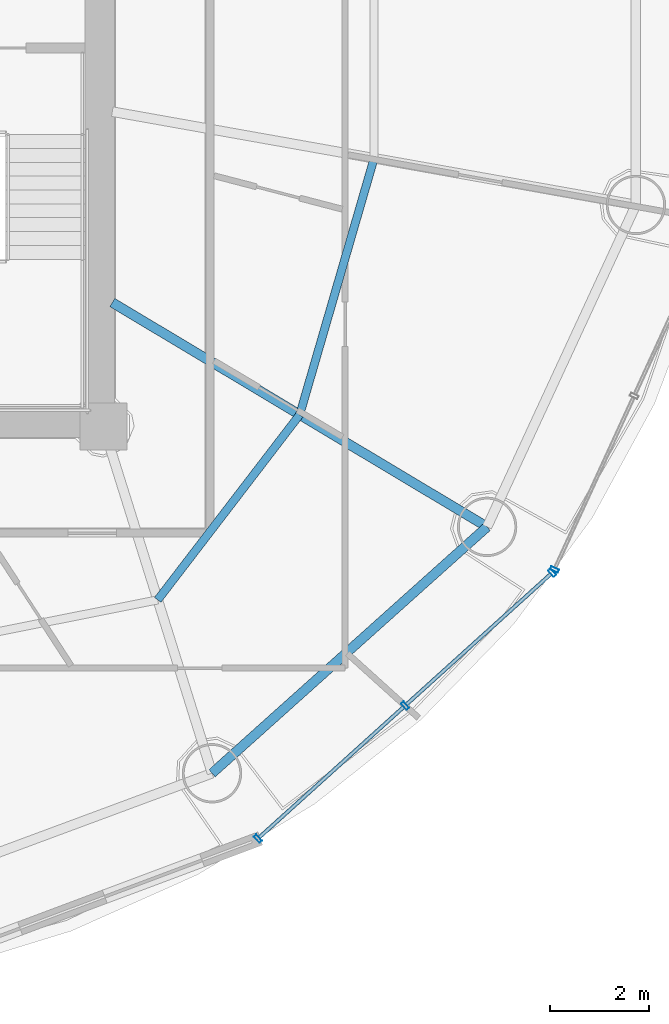
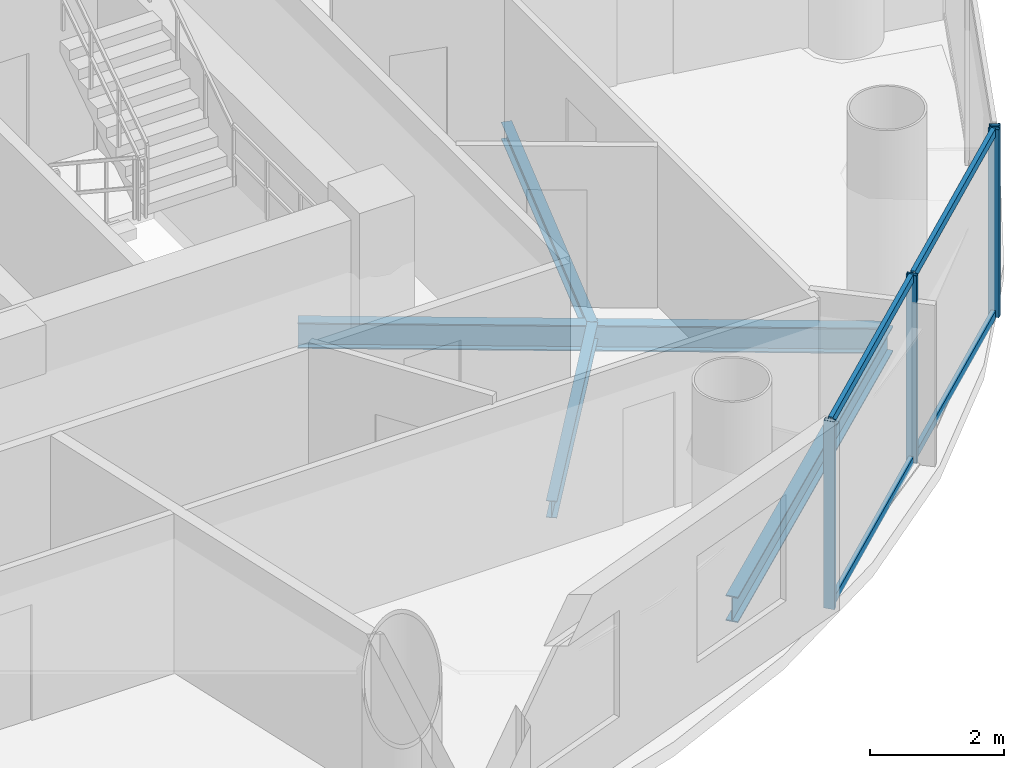
# One storey, part 10 of 27: 8 members, 4 beams, 2 elements without a shape of their own.
"""IFC4 building model written with IfcOpenShell, lengths in metres."""

import ifcopenshell
import ifcopenshell.guid

model = None  # the IFC model being written
_history = None  # IfcOwnerHistory: only IFC2X3 demands one
_inside = {}  # id of a spatial element -> (the spatial element, [elements in it])
_under = {}  # id of a project, library or spatial element -> (it, [spatial elements below it])
_declared = {}  # id of a project -> (the project, [libraries it declares])
_typed = {}  # id of a type object -> (the type object, [elements of that type])
_made_of = {}  # id of a material, layer set ... -> (it, [elements and type objects made of it])


def new_model(schema):
    """Start an empty IFC model of exactly this schema.

    Asked for "IFC4X3", IfcOpenShell would pick the latest addendum, in which some entities
    have other attributes; the version numbers below select the first issue.
    IFC2X3 requires an IfcOwnerHistory on every rooted entity: one is made here for all.
    """
    global model, _history
    if schema == "IFC4X3":
        model = ifcopenshell.file(schema_version=(4, 3, 0, 0))
    else:
        model = ifcopenshell.file(schema=schema)
    _inside.clear()
    _under.clear()
    _declared.clear()
    _typed.clear()
    _made_of.clear()
    _history = None
    if model.schema == "IFC2X3":
        org = make("IfcOrganization", Name="unknown")
        user = make(
            "IfcPersonAndOrganization",
            ThePerson=make("IfcPerson", FamilyName="unknown"),
            TheOrganization=org,
        )
        app = make(
            "IfcApplication",
            ApplicationDeveloper=org,
            Version="unknown",
            ApplicationFullName="unknown",
            ApplicationIdentifier="unknown",
        )
        _history = make(
            "IfcOwnerHistory",
            OwningUser=user,
            OwningApplication=app,
            ChangeAction="ADDED",
            CreationDate=0,
        )
    return model


def make(cls, **values):
    """One entity of the class cls with the attributes given. An attribute that is None is left unset."""
    return model.create_entity(
        cls, **{name: value for name, value in values.items() if value is not None}
    )


def rooted(cls, **values):
    """An entity with a GlobalId (a new one), such as an element, a storey or a relation."""
    return make(cls, GlobalId=ifcopenshell.guid.new(), OwnerHistory=_history, **values)


def si_unit(unit_type, name, prefix=None):
    """IfcSIUnit, for example si_unit("LENGTHUNIT", "METRE", prefix="MILLI")."""
    return make("IfcSIUnit", UnitType=unit_type, Prefix=prefix, Name=name)


def assignment(units):
    """IfcUnitAssignment: the units of a project."""
    return None if units is None else make("IfcUnitAssignment", Units=units)


def point(xyz):
    """IfcCartesianPoint."""
    return None if xyz is None else make("IfcCartesianPoint", Coordinates=xyz)


def direction(xyz):
    """IfcDirection."""
    return None if xyz is None else make("IfcDirection", DirectionRatios=xyz)


def frame(location, z_axis=None, x_axis=None):
    """IfcAxis2Placement3D, a coordinate frame: its origin and axes. An axis left out is left unset."""
    return make(
        "IfcAxis2Placement3D",
        Location=point(location),
        Axis=direction(z_axis),
        RefDirection=direction(x_axis),
    )


def frame_2d(location, x_axis=None):
    """IfcAxis2Placement2D, a coordinate frame in the plane: its origin and x axis."""
    return make(
        "IfcAxis2Placement2D", Location=point(location), RefDirection=direction(x_axis)
    )


def origin():
    """The frame at (0, 0, 0) with its axes left unset."""
    return frame((0.0, 0.0, 0.0))


def origin_2d():
    """The frame at (0, 0) in the plane with its x axis left unset."""
    return frame_2d((0.0, 0.0))


def place(relative_to, where):
    """IfcLocalPlacement: puts the frame where relative to a parent placement (None: the world)."""
    return make(
        "IfcLocalPlacement", PlacementRelTo=relative_to, RelativePlacement=where
    )


def context(
    kind, dimensions, precision=None, world=None, true_north=None, identifier=None
):
    """IfcGeometricRepresentationContext, for example the 3D "Model" context."""
    return make(
        "IfcGeometricRepresentationContext",
        ContextIdentifier=identifier,
        ContextType=kind,
        CoordinateSpaceDimension=dimensions,
        Precision=precision,
        WorldCoordinateSystem=world,
        TrueNorth=true_north,
    )


def subcontext(parent, identifier, kind, view, scale=None):
    """IfcGeometricRepresentationSubContext, for example "Body" below "Model"."""
    return make(
        "IfcGeometricRepresentationSubContext",
        ContextIdentifier=identifier,
        ContextType=kind,
        ParentContext=parent,
        TargetScale=scale,
        TargetView=view,
    )


def project(units=None, contexts=None):
    """IfcProject with its units and contexts."""
    return rooted(
        "IfcProject",
        Name="project",
        RepresentationContexts=contexts,
        UnitsInContext=assignment(units),
    )


def spatial(cls, under=None, at=None, **own):
    """A site, building, storey or space (cls), placed at a placement, below another one or the project."""
    s = rooted(cls, ObjectPlacement=at, **own)
    if under is not None:
        _under.setdefault(under.id(), (under, []))[1].append(s)
    return s


def profile(cls, at=None, kind="AREA", **sizes):
    """A parametric profile (cls). Its sizes go by their IFC names, for example OverallWidth=200.0."""
    return make(cls, ProfileType=kind, Position=at, **sizes)


def hollow_rectangle(**sizes):
    """IfcRectangleHollowProfileDef."""
    return profile("IfcRectangleHollowProfileDef", **sizes)


def i_section(**sizes):
    """IfcIShapeProfileDef."""
    return profile("IfcIShapeProfileDef", **sizes)


def extrude(swept, where, along, depth):
    """IfcExtrudedAreaSolid: the profile swept, set in the frame where, extruded along a direction by depth."""
    return make(
        "IfcExtrudedAreaSolid",
        SweptArea=swept,
        Position=where,
        ExtrudedDirection=direction(along),
        Depth=depth,
    )


def shape(context_of_items, identifier, shape_type, items):
    """IfcShapeRepresentation: the items that make up one representation, for example the "Body"."""
    return make(
        "IfcShapeRepresentation",
        ContextOfItems=context_of_items,
        RepresentationIdentifier=identifier,
        RepresentationType=shape_type,
        Items=items,
    )


def source(mapping_origin, context_of_items, identifier, shape_type, items):
    """IfcRepresentationMap: a shape defined once, which mapped items show again and again."""
    return make(
        "IfcRepresentationMap",
        MappingOrigin=mapping_origin,
        MappedRepresentation=shape(context_of_items, identifier, shape_type, items),
    )


def transform(
    local_origin,
    x_axis=None,
    y_axis=None,
    z_axis=None,
    scale=None,
    scale2=None,
    scale3=None,
    uniform=True,
):
    """IfcCartesianTransformationOperator3D, or its non-uniform kind. x_axis, y_axis, z_axis: its Axis1, 2, 3."""
    if uniform:
        return make(
            "IfcCartesianTransformationOperator3D",
            Axis1=direction(x_axis),
            Axis2=direction(y_axis),
            LocalOrigin=point(local_origin),
            Scale=scale,
            Axis3=direction(z_axis),
        )
    return make(
        "IfcCartesianTransformationOperator3DnonUniform",
        Axis1=direction(x_axis),
        Axis2=direction(y_axis),
        LocalOrigin=point(local_origin),
        Scale=scale,
        Axis3=direction(z_axis),
        Scale2=scale2,
        Scale3=scale3,
    )


def mapped(mapping_source, mapping_target):
    """IfcMappedItem: shows the shape of a source again, moved by a transform."""
    return make(
        "IfcMappedItem", MappingSource=mapping_source, MappingTarget=mapping_target
    )


def material(Name=None, Category=None):
    """IfcMaterial."""
    return make("IfcMaterial", Name=Name, Category=Category)


def material_profile(
    of_material, cross_section, Name=None, Category=None, Priority=None
):
    """IfcMaterialProfile: a cross section and its material."""
    return make(
        "IfcMaterialProfile",
        Name=Name,
        Material=of_material,
        Profile=cross_section,
        Priority=Priority,
        Category=Category,
    )


def profile_set(profiles, Name=None, composite=None):
    """IfcMaterialProfileSet."""
    return make(
        "IfcMaterialProfileSet",
        Name=Name,
        MaterialProfiles=profiles,
        CompositeProfile=composite,
    )


def made_of(thing, what):
    """Note that an element or type object is made of a material, layer set ...; save() writes the relation."""
    if what is not None:
        _made_of.setdefault(what.id(), (what, []))[1].append(thing)
    return thing


def type_object(cls, material=None, **own):
    """A type object (cls), such as IfcWallType, which elements share."""
    return made_of(rooted(cls, **own), material)


def element(
    cls,
    number,
    at=None,
    inside=None,
    cuts=None,
    type_object=None,
    material=None,
    context=None,
    identifier="Body",
    shape_type=None,
    held_by="IfcProductDefinitionShape",
    body=None,
    shapes=None,
    **own,
):
    """One element of the class cls, such as IfcWall. Its Tag is "e" and its number.

    at: its placement. inside: the storey or other place that contains it. cuts: it is an
    opening in that element (IfcRelVoidsElement). A single representation is given by context,
    identifier, shape_type and body (its items); several are given by shapes. held_by: the class
    of the entity that holds the representations. save() writes the other relations.
    """
    e = rooted(cls, Tag="e%d" % number, ObjectPlacement=at, **own)
    if body is not None:
        shapes = [shape(context, identifier, shape_type, body)]
    if shapes is not None:
        e.Representation = make(held_by, Representations=shapes)
    if inside is not None:
        _inside.setdefault(inside.id(), (inside, []))[1].append(e)
    if cuts is not None:
        rooted(
            "IfcRelVoidsElement", RelatingBuildingElement=cuts, RelatedOpeningElement=e
        )
    if type_object is not None:
        _typed.setdefault(type_object.id(), (type_object, []))[1].append(e)
    return made_of(e, material)


def aggregate(whole, parts):
    """IfcRelAggregates: a whole, such as a stair, and the parts it consists of."""
    return rooted("IfcRelAggregates", RelatingObject=whole, RelatedObjects=parts)


def save(model, path):
    """Write the relations noted so far, then the file.

    IfcRelAggregates (storeys below a building ...), IfcRelContainedInSpatialStructure (elements
    in a storey), IfcRelDefinesByType, IfcRelAssociatesMaterial and IfcRelDeclares: one each for
    every whole, place, type object, material and project.
    """
    for whole, parts in _under.values():
        aggregate(whole, parts)
    for where, things in _inside.values():
        rooted(
            "IfcRelContainedInSpatialStructure",
            RelatedElements=things,
            RelatingStructure=where,
        )
    for kind, things in _typed.values():
        rooted("IfcRelDefinesByType", RelatedObjects=things, RelatingType=kind)
    for what, things in _made_of.values():
        rooted("IfcRelAssociatesMaterial", RelatedObjects=things, RelatingMaterial=what)
    for by, libraries in _declared.values():
        rooted("IfcRelDeclares", RelatingContext=by, RelatedDefinitions=libraries)
    model.write(path)


model = new_model("IFC4")

# Units and contexts
model_context = context("Model", 3, precision=1e-05, world=origin(), true_north=direction((-0.2419218956, 0.970295726276)))
body_context = subcontext(model_context, "Body", "Model", "MODEL_VIEW")
ifc_project = project(units=[si_unit("LENGTHUNIT", "METRE"), si_unit("AREAUNIT", "SQUARE_METRE"), si_unit("VOLUMEUNIT", "CUBIC_METRE"), si_unit("PLANEANGLEUNIT", "RADIAN"), si_unit("MASSUNIT", "GRAM", prefix="KILO")], contexts=[model_context])

# Site, building, storey
site_placement = place(None, origin())
site = spatial("IfcSite", under=ifc_project, at=site_placement, CompositionType="ELEMENT")
building_placement = place(site_placement, origin())
building = spatial("IfcBuilding", under=site, at=building_placement, Name="Cobrevalo Terracotta Tower", CompositionType="ELEMENT")
storey_placement = place(building_placement, frame((0.0, 0.0, 194.89990234375)))
storey = spatial("IfcBuildingStorey", under=building, at=storey_placement, Name="L51", CompositionType="ELEMENT", Elevation=194.89990234375)

# Beams
ifc_material_1 = material(Name="Steel S355", Category="steel")
ifc_material_profile_1 = material_profile(ifc_material_1, i_section(OverallWidth=0.194091796875, OverallDepth=0.468994140625, WebThickness=0.011474609375, FlangeThickness=0.0205078125, at=origin_2d()), Name="W 460x106")
ifc_profile_set_1 = profile_set([ifc_material_profile_1], Name="Steel S355")
beam_type_1 = type_object("IfcBeamType", Name="Structural Beam W 460x106 (Steel S355)", PredefinedType="BEAM", material=ifc_profile_set_1)
beam_1_placement = place(storey_placement, frame((54.754150390625, 16.77197265625, -0.49951171875), z_axis=(-0.858046392192, 0.513572184651, 0.0), x_axis=(-0.513572184651, -0.858046392192, 0.0)))
element("IfcBeam", 1, at=beam_1_placement, inside=storey, type_object=beam_type_1, Name="L51 radial floor girder 15", PredefinedType="BEAM", context=body_context, shape_type="SweptSolid", body=[
    extrude(i_section(OverallWidth=0.194091796875, OverallDepth=0.468994140625, WebThickness=0.011474609375, FlangeThickness=0.0205078125, at=origin_2d()), origin(), (0.0, 0.0, 1.0), 8.827392578125),
])
ifc_material_profile_2 = material_profile(ifc_material_1, i_section(OverallWidth=0.1650390625, OverallDepth=0.31005859375, WebThickness=0.005859375, FlangeThickness=0.009765625, at=origin_2d()), Name="W 310x38.7")
ifc_profile_set_2 = profile_set([ifc_material_profile_2], Name="Steel S355")
beam_type_2 = type_object("IfcBeamType", Name="Structural Joist W 310x38.7 (Steel S355)", PredefinedType="JOIST", material=ifc_profile_set_2)
beam_2_placement = place(storey_placement, frame((48.097412109375, 15.2958984375, -0.419921875), z_axis=(0.608464146296, 0.793581364872, 0.0), x_axis=(-0.793581364872, 0.608464146296, 0.0)))
element("IfcBeam", 2, at=beam_2_placement, inside=storey, type_object=beam_type_2, Name="L51 circumferential secondary floor joist 14", PredefinedType="JOIST", context=body_context, shape_type="SweptSolid", body=[
    extrude(i_section(OverallWidth=0.1650390625, OverallDepth=0.31005859375, WebThickness=0.005859375, FlangeThickness=0.009765625, at=origin_2d()), origin(), (0.0, 0.0, 1.0), 4.716064453125),
])
beam_3_placement = place(storey_placement, frame((50.967041015625, 19.03857421875, -0.419921875), z_axis=(0.278757705995, 0.960361463902, 0.0), x_axis=(-0.960361463902, 0.278757705995, 0.0)))
element("IfcBeam", 3, at=beam_3_placement, inside=storey, type_object=beam_type_2, Name="L51 circumferential secondary floor joist 15", PredefinedType="JOIST", context=body_context, shape_type="SweptSolid", body=[
    extrude(i_section(OverallWidth=0.1650390625, OverallDepth=0.31005859375, WebThickness=0.005859375, FlangeThickness=0.009765625, at=origin_2d()), origin(), (0.0, 0.0, 1.0), 5.396728515625),
])
ifc_material_profile_3 = material_profile(ifc_material_1, i_section(OverallWidth=0.194091796875, OverallDepth=0.468994140625, WebThickness=0.011474609375, FlangeThickness=0.0205078125, at=origin_2d()), Name="W 460x106")
ifc_profile_set_3 = profile_set([ifc_material_profile_3], Name="Steel S355")
beam_type_3 = type_object("IfcBeamType", Name="Structural Spandrel W 460x106 (Steel S355)", PredefinedType="SPANDREL", material=ifc_profile_set_3)
beam_4_placement = place(storey_placement, frame((49.19482421875, 11.7919921875, -0.49951171875), z_axis=(0.744851930997, 0.667229796165, 0.0), x_axis=(-0.667229796165, 0.744851930997, 0.0)))
element("IfcBeam", 4, at=beam_4_placement, inside=storey, type_object=beam_type_3, Name="L51 perimeter ring spandrel 14", PredefinedType="SPANDREL", context=body_context, shape_type="SweptSolid", body=[
    extrude(i_section(OverallWidth=0.194091796875, OverallDepth=0.468994140625, WebThickness=0.011474609375, FlangeThickness=0.0205078125, at=origin_2d()), origin(), (0.0, 0.0, 1.0), 7.463623046875),
])

# Curtain wall, members
ifc_material_2 = material(Name="Anodized aluminium", Category="aluminium")
curtain_wall_type = type_object("IfcCurtainWallType", Name="Mid-tower high-wind unitised curtain wall CW-U2", PredefinedType="NOTDEFINED", material=ifc_material_2)
curtain_wall_1_placement = place(storey_placement, origin())
curtain_wall_1 = element("IfcCurtainWall", 5, at=curtain_wall_1_placement, inside=storey, type_object=curtain_wall_type, Name="L51 curtain wall CW-L51-S14", PredefinedType="NOTDEFINED")
ifc_material_profile_4 = material_profile(ifc_material_2, hollow_rectangle(XDim=0.074951171875, YDim=0.14990234375, WallThickness=0.00439453125, at=origin_2d()), Name="CWT 75x150")
ifc_profile_set_4 = profile_set([ifc_material_profile_4], Name="Anodized aluminium")
member_type_1 = type_object("IfcMemberType", Name="Tower unitised aluminium transom 75x150", PredefinedType="USERDEFINED", material=ifc_profile_set_4)
shared_shape_1 = source(origin(), body_context, "Body", "SweptSolid", [
    extrude(hollow_rectangle(XDim=0.074951171875, YDim=0.14990234375, WallThickness=0.00439453125, at=origin_2d()), origin(), (0.0, 0.0, 1.0), 3.927490234375),
])
member_1_placement = place(storey_placement, frame((53.127685546875, 13.185302734375, 0.050048828125), z_axis=(0.741975952623, 0.670426495396, 0.0), x_axis=(-0.670426495396, 0.741975952623, 0.0)))
member_1 = element("IfcMember", 6, at=member_1_placement, type_object=member_type_1, Name="CW-L51-S14 transom B02-T1", ObjectType="TRANSOM", PredefinedType="USERDEFINED", context=body_context, shape_type="MappedRepresentation", body=[
    mapped(shared_shape_1, transform((0.0, 0.0, 0.0), scale=1.0)),
])
member_2_placement = place(storey_placement, frame((53.127685546875, 13.185302734375, 3.385009765625), z_axis=(0.741975952623, 0.670426495396, 0.0), x_axis=(-0.670426495396, 0.741975952623, 0.0)))
member_2 = element("IfcMember", 7, at=member_2_placement, type_object=member_type_1, Name="CW-L51-S14 transom B02-T2", ObjectType="TRANSOM", PredefinedType="USERDEFINED", context=body_context, shape_type="MappedRepresentation", body=[
    mapped(shared_shape_1, transform((0.0, 0.0, 0.0), scale=1.0)),
])
shared_shape_2 = source(origin(), body_context, "Body", "SweptSolid", [
    extrude(hollow_rectangle(XDim=0.074951171875, YDim=0.14990234375, WallThickness=0.00439453125, at=origin_2d()), origin(), (0.0, 0.0, 1.0), 3.927734375),
])
member_3_placement = place(storey_placement, frame((50.154052734375, 10.49853515625, 0.050048828125), z_axis=(0.742003891138, 0.670395573923, 0.0), x_axis=(-0.670395573923, 0.742003891138, 0.0)))
member_3 = element("IfcMember", 8, at=member_3_placement, type_object=member_type_1, Name="CW-L51-S14 transom B01-T1", ObjectType="TRANSOM", PredefinedType="USERDEFINED", context=body_context, shape_type="MappedRepresentation", body=[
    mapped(shared_shape_2, transform((0.0, 0.0, 0.0), scale=1.0)),
])
member_4_placement = place(storey_placement, frame((50.154052734375, 10.49853515625, 3.385009765625), z_axis=(0.742003891138, 0.670395573923, 0.0), x_axis=(-0.670395573923, 0.742003891138, 0.0)))
member_4 = element("IfcMember", 9, at=member_4_placement, type_object=member_type_1, Name="CW-L51-S14 transom B01-T2", ObjectType="TRANSOM", PredefinedType="USERDEFINED", context=body_context, shape_type="MappedRepresentation", body=[
    mapped(shared_shape_2, transform((0.0, 0.0, 0.0), scale=1.0)),
])
ifc_material_profile_5 = material_profile(ifc_material_2, hollow_rectangle(XDim=0.070068359375, YDim=0.169921875, WallThickness=0.00439453125, at=origin_2d()), Name="CWM 70x170")
ifc_profile_set_5 = profile_set([ifc_material_profile_5], Name="Anodized aluminium")
member_type_2 = type_object("IfcMemberType", Name="Upper tower unitised mullion 70x170", PredefinedType="MULLION", material=ifc_profile_set_5)
shared_shape_3 = source(origin(), body_context, "Body", "SweptSolid", [
    extrude(hollow_rectangle(XDim=0.070068359375, YDim=0.169921875, WallThickness=0.00439453125, at=origin_2d()), origin(), (0.0, 0.0, 1.0), 3.43505859375),
])
member_5_placement = place(storey_placement, frame((50.12451171875, 10.471923828125, 0.0), z_axis=(0.0, 0.0, 1.0), x_axis=(0.741987542015, 0.670413668935, 0.0)))
member_5 = element("IfcMember", 10, at=member_5_placement, type_object=member_type_2, Name="CW-L51-S14 vertical mullion 01", PredefinedType="MULLION", context=body_context, shape_type="MappedRepresentation", body=[
    mapped(shared_shape_3, transform((0.0, 0.0, 0.0), scale=1.0)),
])
member_6_placement = place(storey_placement, frame((53.097900390625, 13.158447265625, 0.0), z_axis=(0.0, 0.0, 1.0), x_axis=(0.741987542015, 0.670413668935, 0.0)))
member_6 = element("IfcMember", 11, at=member_6_placement, type_object=member_type_2, Name="CW-L51-S14 vertical mullion 02", PredefinedType="MULLION", context=body_context, shape_type="MappedRepresentation", body=[
    mapped(shared_shape_3, transform((0.0, 0.0, 0.0), scale=1.0)),
])
member_7_placement = place(storey_placement, frame((56.071533203125, 15.84521484375, 0.0), z_axis=(0.0, 0.0, 1.0), x_axis=(0.741987542015, 0.670413668935, 0.0)))
member_7 = element("IfcMember", 12, at=member_7_placement, type_object=member_type_2, Name="CW-L51-S14 vertical mullion 03", PredefinedType="MULLION", context=body_context, shape_type="MappedRepresentation", body=[
    mapped(shared_shape_3, transform((0.0, 0.0, 0.0), scale=1.0)),
])
aggregate(curtain_wall_1, [member_5, member_6, member_7, member_3, member_4, member_1, member_2])

# Curtain wall, member
curtain_wall_2_placement = place(storey_placement, origin())
curtain_wall_2 = element("IfcCurtainWall", 13, at=curtain_wall_2_placement, inside=storey, type_object=curtain_wall_type, Name="L51 curtain wall CW-L51-S15", PredefinedType="NOTDEFINED")
member_8_placement = place(storey_placement, frame((56.11767578125, 15.908203125, 0.0), z_axis=(0.0, 0.0, 1.0), x_axis=(0.41672507912, 0.909032567311, 0.0)))
member_8 = element("IfcMember", 14, at=member_8_placement, type_object=member_type_2, Name="CW-L51-S15 vertical mullion 01", PredefinedType="MULLION", context=body_context, shape_type="MappedRepresentation", body=[
    mapped(shared_shape_3, transform((0.0, 0.0, 0.0), scale=1.0)),
])
aggregate(curtain_wall_2, [member_8])

save(model, "model.ifc")
